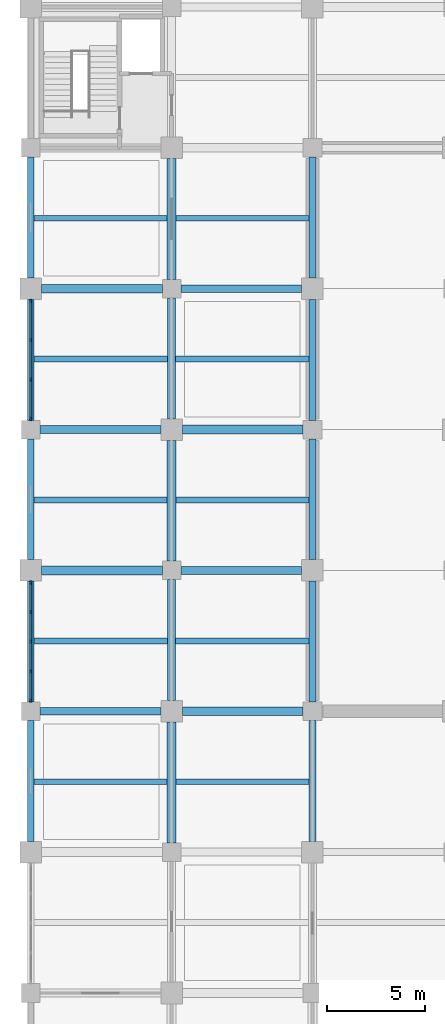
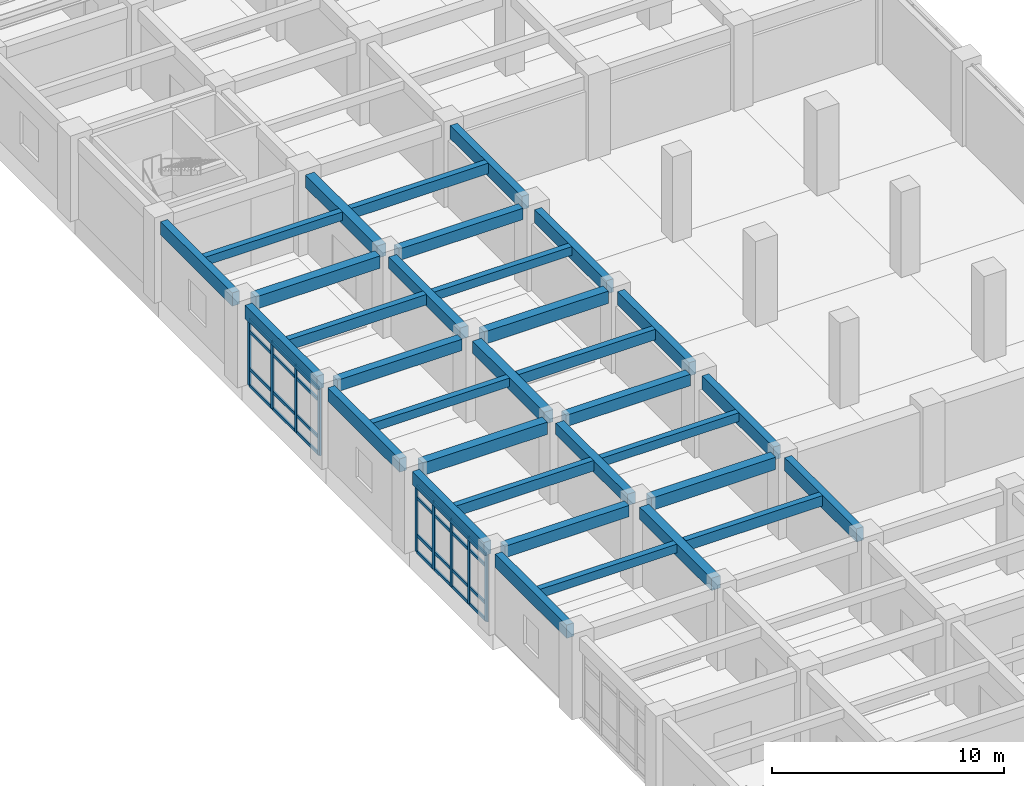
# One storey, part 6 of 81: 37 members, 33 beams, 2 elements without a shape of their own.
"""IFC4 building model written with IfcOpenShell, lengths in metres."""

from ifc_helpers import new_model, si_unit, direction, frame, origin, origin_2d, place, context, subcontext, project, spatial, rectangle, extrude, material, layer, layer_set, material_profile, profile_set, type_object, element, aggregate, save


model = new_model("IFC4")

# Units and contexts
model_context = context("Model", 3, precision=1e-05, world=origin(), true_north=direction((0.0, 1.0)))
body_context = subcontext(model_context, "Body", "Model", "MODEL_VIEW")
ifc_project = project(units=[si_unit("LENGTHUNIT", "METRE"), si_unit("AREAUNIT", "SQUARE_METRE"), si_unit("VOLUMEUNIT", "CUBIC_METRE"), si_unit("PLANEANGLEUNIT", "RADIAN"), si_unit("MASSUNIT", "GRAM", prefix="KILO")], contexts=[model_context])

# Site, building, storey
site_placement = place(None, origin())
site = spatial("IfcSite", under=ifc_project, at=site_placement, CompositionType="ELEMENT")
building_placement = place(site_placement, origin())
building = spatial("IfcBuilding", under=site, at=building_placement, Name="Kavelor Marine Aquarium", CompositionType="ELEMENT")
storey_placement = place(building_placement, frame((0.0, 0.0, 4.679931640625)))
storey = spatial("IfcBuildingStorey", under=building, at=storey_placement, Name="L01", CompositionType="ELEMENT", Elevation=4.679931640625)

# Beams
ifc_material_1 = material(Name="Concrete C40/50", Category="concrete")
ifc_material_profile_1 = material_profile(ifc_material_1, rectangle(XDim=0.449951171875, YDim=0.64990234375, at=origin_2d()), Name="RC-BM 450x650")
ifc_profile_set_1 = profile_set([ifc_material_profile_1], Name="Concrete C40/50")
beam_type_1 = type_object("IfcBeamType", Name="BM-B3", PredefinedType="BEAM", material=ifc_profile_set_1)
for number, where, z_axis, x_axis, name in (
    (1, (3.75, 46.0, 3.875), (1.0, 0.0, 0.0), (0.0, 1.0, 0.0), "bm:x:L01:L02:00_06"),
    (2, (3.75, 60.39990234375, 3.875), (1.0, 0.0, 0.0), (0.0, 1.0, 0.0), "bm:x:L01:L02:00_08"),
    (3, (10.949951171875, 38.800048828125, 3.875), (1.0, 0.0, 0.0), (0.0, 1.0, 0.0), "bm:x:L01:L02:01_05"),
    (4, (10.949951171875, 53.199951171875, 3.875), (1.0, 0.0, 0.0), (0.0, 1.0, 0.0), "bm:x:L01:L02:01_07"),
    (5, (10.39990234375, 32.074951171875, 3.875), (0.0, 1.0, 0.0), (-1.0, 0.0, 0.0), "bm:y:L01:L02:01_04"),
):
    element("IfcBeam", number, at=place(storey_placement, frame(where, z_axis=z_axis, x_axis=x_axis)), inside=storey, type_object=beam_type_1, Name=name, PredefinedType="BEAM", context=body_context, shape_type="SweptSolid", body=[
        extrude(rectangle(XDim=0.449951171875, YDim=0.64990234375, at=origin_2d()), origin(), (0.0, 0.0, 1.0), 6.175048828125),
    ])
beam_1_placement = place(storey_placement, frame((10.39990234375, 46.47509765625, 3.875), z_axis=(0.0, 1.0, 0.0), x_axis=(-1.0, 0.0, 0.0)))
element("IfcBeam", 6, at=beam_1_placement, inside=storey, type_object=beam_type_1, Name="bm:y:L01:L02:01_06", PredefinedType="BEAM", context=body_context, shape_type="SweptSolid", body=[
    extrude(rectangle(XDim=0.449951171875, YDim=0.64990234375, at=origin_2d()), origin(), (0.0, 0.0, 1.0), 6.1748046875),
])
beam_2_placement = place(storey_placement, frame((10.39990234375, 60.875, 3.875), z_axis=(0.0, 1.0, 0.0), x_axis=(-1.0, 0.0, 0.0)))
element("IfcBeam", 7, at=beam_2_placement, inside=storey, type_object=beam_type_1, Name="bm:y:L01:L02:01_08", PredefinedType="BEAM", context=body_context, shape_type="SweptSolid", body=[
    extrude(rectangle(XDim=0.449951171875, YDim=0.64990234375, at=origin_2d()), origin(), (0.0, 0.0, 1.0), 6.175048828125),
])
ifc_material_2 = material(Name="Concrete C40/50", Category="concrete")
ifc_material_profile_2 = material_profile(ifc_material_2, rectangle(XDim=0.39990234375, YDim=0.60009765625, at=origin_2d()), Name="RC-BM 400x600")
ifc_profile_set_2 = profile_set([ifc_material_profile_2], Name="Concrete C40/50")
beam_type_2 = type_object("IfcBeamType", Name="BM-B4", PredefinedType="BEAM", material=ifc_profile_set_2)
for number, where, z_axis, x_axis, name in (
    (8, (3.675048828125, 38.800048828125, 3.900146484375), (1.0, 0.0, 0.0), (0.0, 1.0, 0.0), "bm:x:L01:L02:00_05"),
    (9, (3.675048828125, 53.199951171875, 3.900146484375), (1.0, 0.0, 0.0), (0.0, 1.0, 0.0), "bm:x:L01:L02:00_07"),
    (10, (10.875, 46.0, 3.900146484375), (1.0, 0.0, 0.0), (0.0, 1.0, 0.0), "bm:x:L01:L02:01_06"),
    (11, (10.875, 60.39990234375, 3.900146484375), (1.0, 0.0, 0.0), (0.0, 1.0, 0.0), "bm:x:L01:L02:01_08"),
):
    element("IfcBeam", number, at=place(storey_placement, frame(where, z_axis=z_axis, x_axis=x_axis)), inside=storey, type_object=beam_type_2, Name=name, PredefinedType="BEAM", context=body_context, shape_type="SweptSolid", body=[
        extrude(rectangle(XDim=0.39990234375, YDim=0.60009765625, at=origin_2d()), origin(), (0.0, 0.0, 1.0), 6.175048828125),
    ])
beam_3_placement = place(storey_placement, frame((10.39990234375, 39.35009765625, 3.900146484375), z_axis=(0.0, 1.0, 0.0), x_axis=(-1.0, 0.0, 0.0)))
element("IfcBeam", 12, at=beam_3_placement, inside=storey, type_object=beam_type_2, Name="bm:y:L01:L02:01_05", PredefinedType="BEAM", context=body_context, shape_type="SweptSolid", body=[
    extrude(rectangle(XDim=0.39990234375, YDim=0.60009765625, at=origin_2d()), origin(), (0.0, 0.0, 1.0), 6.1748046875),
])
beam_4_placement = place(storey_placement, frame((10.39990234375, 53.75, 3.900146484375), z_axis=(0.0, 1.0, 0.0), x_axis=(-1.0, 0.0, 0.0)))
element("IfcBeam", 13, at=beam_4_placement, inside=storey, type_object=beam_type_2, Name="bm:y:L01:L02:01_07", PredefinedType="BEAM", context=body_context, shape_type="SweptSolid", body=[
    extrude(rectangle(XDim=0.39990234375, YDim=0.60009765625, at=origin_2d()), origin(), (0.0, 0.0, 1.0), 6.175048828125),
])
ifc_material_3 = material(Name="Concrete C40/50", Category="concrete")
ifc_material_profile_3 = material_profile(ifc_material_3, rectangle(XDim=0.300048828125, YDim=0.449951171875, at=origin_2d()), Name="RC-JS 300x450")
ifc_profile_set_3 = profile_set([ifc_material_profile_3], Name="Concrete C40/50")
beam_type_3 = type_object("IfcBeamType", Name="BM-JS1", PredefinedType="JOIST", material=ifc_profile_set_3)
for number, where, z_axis, x_axis, name in (
    (14, (3.375, 35.199951171875, 3.97509765625), (1.0, 0.0, 0.0), (0.0, 1.0, 0.0), "js:L01:L02:00_04"),
    (15, (3.375, 49.60009765625, 3.97509765625), (1.0, 0.0, 0.0), (0.0, 1.0, 0.0), "js:L01:L02:00_06"),
    (16, (3.375, 64.0, 3.97509765625), (1.0, 0.0, 0.0), (0.0, 1.0, 0.0), "js:L01:L02:00_08"),
):
    element("IfcBeam", number, at=place(storey_placement, frame(where, z_axis=z_axis, x_axis=x_axis)), inside=storey, type_object=beam_type_3, Name=name, PredefinedType="JOIST", context=body_context, shape_type="SweptSolid", body=[
        extrude(rectangle(XDim=0.300048828125, YDim=0.449951171875, at=origin_2d()), origin(), (0.0, 0.0, 1.0), 6.800048828125),
    ])
for number, where, z_axis, x_axis, name in (
    (17, (10.60009765625, 42.39990234375, 3.97509765625), (1.0, 0.0, 0.0), (0.0, 1.0, 0.0), "js:L01:L02:01_05"),
    (18, (10.60009765625, 56.800048828125, 3.97509765625), (1.0, 0.0, 0.0), (0.0, 1.0, 0.0), "js:L01:L02:01_07"),
):
    element("IfcBeam", number, at=place(storey_placement, frame(where, z_axis=z_axis, x_axis=x_axis)), inside=storey, type_object=beam_type_3, Name=name, PredefinedType="JOIST", context=body_context, shape_type="SweptSolid", body=[
        extrude(rectangle(XDim=0.300048828125, YDim=0.449951171875, at=origin_2d()), origin(), (0.0, 0.0, 1.0), 6.824951171875),
    ])
ifc_material_4 = material(Name="Concrete C40/50", Category="concrete")
ifc_material_profile_4 = material_profile(ifc_material_4, rectangle(XDim=0.300048828125, YDim=0.550048828125, at=origin_2d()), Name="RC-JS 300x550")
ifc_profile_set_4 = profile_set([ifc_material_profile_4], Name="Concrete C40/50")
beam_type_4 = type_object("IfcBeamType", Name="BM-JS2", PredefinedType="JOIST", material=ifc_profile_set_4)
for number, where, z_axis, x_axis, name in (
    (19, (3.375, 42.39990234375, 3.945068359375), (1.0, 0.0, 0.0), (0.0, 1.0, 0.0), "js:L01:L02:00_05"),
    (20, (3.375, 56.800048828125, 3.945068359375), (1.0, 0.0, 0.0), (0.0, 1.0, 0.0), "js:L01:L02:00_07"),
):
    element("IfcBeam", number, at=place(storey_placement, frame(where, z_axis=z_axis, x_axis=x_axis)), inside=storey, type_object=beam_type_4, Name=name, PredefinedType="JOIST", context=body_context, shape_type="SweptSolid", body=[
        extrude(rectangle(XDim=0.300048828125, YDim=0.550048828125, at=origin_2d()), origin(), (0.0, 0.0, 1.0), 6.824951171875),
    ])
for number, where, z_axis, x_axis, name in (
    (21, (10.625, 35.199951171875, 3.945068359375), (1.0, 0.0, 0.0), (0.0, 1.0, 0.0), "js:L01:L02:01_04"),
    (22, (10.625, 49.60009765625, 3.945068359375), (1.0, 0.0, 0.0), (0.0, 1.0, 0.0), "js:L01:L02:01_06"),
    (23, (10.625, 64.0, 3.945068359375), (1.0, 0.0, 0.0), (0.0, 1.0, 0.0), "js:L01:L02:01_08"),
):
    element("IfcBeam", number, at=place(storey_placement, frame(where, z_axis=z_axis, x_axis=x_axis)), inside=storey, type_object=beam_type_4, Name=name, PredefinedType="JOIST", context=body_context, shape_type="SweptSolid", body=[
        extrude(rectangle(XDim=0.300048828125, YDim=0.550048828125, at=origin_2d()), origin(), (0.0, 0.0, 1.0), 6.800048828125),
    ])
ifc_material_5 = material(Name="Concrete C40/50", Category="concrete")
ifc_material_profile_5 = material_profile(ifc_material_5, rectangle(XDim=0.35009765625, YDim=0.699951171875, at=origin_2d()), Name="RC-SP 350x700")
ifc_profile_set_5 = profile_set([ifc_material_profile_5], Name="Concrete C40/50")
beam_type_5 = type_object("IfcBeamType", Name="BM-SP1", PredefinedType="SPANDREL", material=ifc_profile_set_5)
for number, where, z_axis, x_axis, name in (
    (24, (3.199951171875, 32.14990234375, 3.85009765625), (0.0, 1.0, 0.0), (-1.0, 0.0, 0.0), "bm:y:L01:L02:00_04"),
    (25, (3.199951171875, 39.27490234375, 3.8701171875), (0.0, 1.0, 0.0), (-1.0, 0.0, 0.0), "bm:y:L01:L02:00_05"),
    (26, (3.199951171875, 46.550048828125, 3.85009765625), (0.0, 1.0, 0.0), (-1.0, 0.0, 0.0), "bm:y:L01:L02:00_06"),
    (27, (3.199951171875, 53.675048828125, 3.8701171875), (0.0, 1.0, 0.0), (-1.0, 0.0, 0.0), "bm:y:L01:L02:00_07"),
    (28, (3.199951171875, 60.949951171875, 3.85009765625), (0.0, 1.0, 0.0), (-1.0, 0.0, 0.0), "bm:y:L01:L02:00_08"),
    (29, (17.60009765625, 32.14990234375, 3.8701171875), (0.0, 1.0, 0.0), (-1.0, 0.0, 0.0), "bm:y:L01:L02:02_04"),
    (30, (17.60009765625, 39.27490234375, 3.85009765625), (0.0, 1.0, 0.0), (-1.0, 0.0, 0.0), "bm:y:L01:L02:02_05"),
    (31, (17.60009765625, 46.550048828125, 3.8701171875), (0.0, 1.0, 0.0), (-1.0, 0.0, 0.0), "bm:y:L01:L02:02_06"),
    (32, (17.60009765625, 53.675048828125, 3.85009765625), (0.0, 1.0, 0.0), (-1.0, 0.0, 0.0), "bm:y:L01:L02:02_07"),
    (33, (17.60009765625, 60.949951171875, 3.8701171875), (0.0, 1.0, 0.0), (-1.0, 0.0, 0.0), "bm:y:L01:L02:02_08"),
):
    element("IfcBeam", number, at=place(storey_placement, frame(where, z_axis=z_axis, x_axis=x_axis)), inside=storey, type_object=beam_type_5, Name=name, PredefinedType="SPANDREL", context=body_context, shape_type="SweptSolid", body=[
        extrude(rectangle(XDim=0.35009765625, YDim=0.699951171875, at=origin_2d()), origin(), (0.0, 0.0, 1.0), 6.175048828125),
    ])

# Curtain wall, members
ifc_material_6 = material(Name="Thermally Broken Aluminium and Low-E Glass", Category="aluminium")
ifc_layer_1 = layer(ifc_material_6, 0.251953125)
ifc_layer_set_1 = layer_set([ifc_layer_1], Name="CW-SYS14")
curtain_wall_type_1 = type_object("IfcCurtainWallType", Name="CW-SYS14", PredefinedType="USERDEFINED", material=ifc_layer_set_1)
curtain_wall_1_placement = place(storey_placement, origin())
curtain_wall_1 = element("IfcCurtainWall", 34, at=curtain_wall_1_placement, inside=storey, type_object=curtain_wall_type_1, Name="cw:y:L01:00_05", ObjectType="Curtain Wall", PredefinedType="USERDEFINED")
ifc_material_7 = material(Name="Anodised Aluminium Alloy 6063-T6", Category="aluminium")
ifc_material_profile_6 = material_profile(ifc_material_7, rectangle(XDim=0.080078125, YDim=0.18505859375, at=origin_2d()), Name="CW-MUL 80x185")
ifc_profile_set_6 = profile_set([ifc_material_profile_6], Name="Anodised Aluminium Alloy 6063-T6")
member_type_1 = type_object("IfcMemberType", Name="CWM-2", PredefinedType="MULLION", material=ifc_profile_set_6)
member_1_placement = place(storey_placement, frame((3.199951171875, 45.37255859375, 0.0), z_axis=(0.0, 0.0, 1.0), x_axis=(1.0, 0.0, 0.0)))
member_1 = element("IfcMember", 35, at=member_1_placement, type_object=member_type_1, Name="CW14 mullion 1", PredefinedType="MULLION", context=body_context, shape_type="SweptSolid", body=[
    extrude(rectangle(XDim=0.080078125, YDim=0.18505859375, at=origin_2d()), origin(), (0.0, 0.0, 1.0), 3.510009765625),
])
member_2_placement = place(storey_placement, frame((3.199951171875, 43.8837890625, 0.0), z_axis=(0.0, 0.0, 1.0), x_axis=(1.0, 0.0, 0.0)))
member_2 = element("IfcMember", 36, at=member_2_placement, type_object=member_type_1, Name="CW14 mullion 2", PredefinedType="MULLION", context=body_context, shape_type="SweptSolid", body=[
    extrude(rectangle(XDim=0.080078125, YDim=0.18505859375, at=origin_2d()), origin(), (0.0, 0.0, 1.0), 3.510009765625),
])
member_3_placement = place(storey_placement, frame((3.199951171875, 42.362548828125, 0.0), z_axis=(0.0, 0.0, 1.0), x_axis=(1.0, 0.0, 0.0)))
member_3 = element("IfcMember", 37, at=member_3_placement, type_object=member_type_1, Name="CW14 mullion 3", PredefinedType="MULLION", context=body_context, shape_type="SweptSolid", body=[
    extrude(rectangle(XDim=0.080078125, YDim=0.18505859375, at=origin_2d()), origin(), (0.0, 0.0, 1.0), 3.510009765625),
])
member_4_placement = place(storey_placement, frame((3.199951171875, 40.84130859375, 0.0), z_axis=(0.0, 0.0, 1.0), x_axis=(1.0, 0.0, 0.0)))
member_4 = element("IfcMember", 38, at=member_4_placement, type_object=member_type_1, Name="CW14 mullion 4", PredefinedType="MULLION", context=body_context, shape_type="SweptSolid", body=[
    extrude(rectangle(XDim=0.080078125, YDim=0.18505859375, at=origin_2d()), origin(), (0.0, 0.0, 1.0), 3.510009765625),
])
member_5_placement = place(storey_placement, frame((3.199951171875, 39.3525390625, 0.0), z_axis=(0.0, 0.0, 1.0), x_axis=(1.0, 0.0, 0.0)))
member_5 = element("IfcMember", 39, at=member_5_placement, type_object=member_type_1, Name="CW14 mullion 5", PredefinedType="MULLION", context=body_context, shape_type="SweptSolid", body=[
    extrude(rectangle(XDim=0.080078125, YDim=0.18505859375, at=origin_2d()), origin(), (0.0, 0.0, 1.0), 3.510009765625),
])

ifc_material_8 = material(Name="Thermally Broken Aluminium and Low-E Glass", Category="aluminium")
ifc_layer_2 = layer(ifc_material_8, 0.260009765625)
ifc_layer_set_2 = layer_set([ifc_layer_2], Name="CW-SYS15")
curtain_wall_type_2 = type_object("IfcCurtainWallType", Name="CW-SYS15", PredefinedType="USERDEFINED", material=ifc_layer_set_2)
curtain_wall_2_placement = place(storey_placement, origin())
curtain_wall_2 = element("IfcCurtainWall", 40, at=curtain_wall_2_placement, inside=storey, type_object=curtain_wall_type_2, Name="cw:y:L01:00_07", ObjectType="Curtain Wall", PredefinedType="USERDEFINED")
ifc_material_9 = material(Name="Anodised Aluminium Alloy 6063-T6", Category="aluminium")
ifc_material_profile_7 = material_profile(ifc_material_9, rectangle(XDim=0.0849609375, YDim=0.18994140625, at=origin_2d()), Name="CW-MUL 85x190")
ifc_profile_set_7 = profile_set([ifc_material_profile_7], Name="Anodised Aluminium Alloy 6063-T6")
member_type_2 = type_object("IfcMemberType", Name="CWM-3", PredefinedType="MULLION", material=ifc_profile_set_7)
member_6_placement = place(storey_placement, frame((3.199951171875, 59.77490234375, 0.0), z_axis=(0.0, 0.0, 1.0), x_axis=(1.0, 0.0, 0.0)))
member_6 = element("IfcMember", 41, at=member_6_placement, type_object=member_type_2, Name="CW15 mullion 1", PredefinedType="MULLION", context=body_context, shape_type="SweptSolid", body=[
    extrude(rectangle(XDim=0.0849609375, YDim=0.18994140625, at=origin_2d()), origin(), (0.0, 0.0, 1.0), 3.510009765625),
])
member_7_placement = place(storey_placement, frame((3.199951171875, 57.776611328125, 0.0), z_axis=(0.0, 0.0, 1.0), x_axis=(1.0, 0.0, 0.0)))
member_7 = element("IfcMember", 42, at=member_7_placement, type_object=member_type_2, Name="CW15 mullion 2", PredefinedType="MULLION", context=body_context, shape_type="SweptSolid", body=[
    extrude(rectangle(XDim=0.0849609375, YDim=0.18994140625, at=origin_2d()), origin(), (0.0, 0.0, 1.0), 3.510009765625),
])
member_8_placement = place(storey_placement, frame((3.199951171875, 55.748291015625, 0.0), z_axis=(0.0, 0.0, 1.0), x_axis=(1.0, 0.0, 0.0)))
member_8 = element("IfcMember", 43, at=member_8_placement, type_object=member_type_2, Name="CW15 mullion 3", PredefinedType="MULLION", context=body_context, shape_type="SweptSolid", body=[
    extrude(rectangle(XDim=0.0849609375, YDim=0.18994140625, at=origin_2d()), origin(), (0.0, 0.0, 1.0), 3.510009765625),
])
member_9_placement = place(storey_placement, frame((3.199951171875, 53.75, 0.0), z_axis=(0.0, 0.0, 1.0), x_axis=(1.0, 0.0, 0.0)))
member_9 = element("IfcMember", 44, at=member_9_placement, type_object=member_type_2, Name="CW15 mullion 4", PredefinedType="MULLION", context=body_context, shape_type="SweptSolid", body=[
    extrude(rectangle(XDim=0.0849609375, YDim=0.18994140625, at=origin_2d()), origin(), (0.0, 0.0, 1.0), 3.510009765625),
])

# Member
ifc_material_10 = material(Name="Anodised Aluminium Alloy 6063-T6", Category="aluminium")
ifc_material_profile_8 = material_profile(ifc_material_10, rectangle(XDim=0.080078125, YDim=0.155029296875, at=origin_2d()), Name="CW-TRN 80x155")
ifc_profile_set_8 = profile_set([ifc_material_profile_8], Name="Anodised Aluminium Alloy 6063-T6")
member_type_3 = type_object("IfcMemberType", Name="CWT-2", PredefinedType="USERDEFINED", material=ifc_profile_set_8)
member_10_placement = place(storey_placement, frame((3.199951171875, 45.340087890625, 0.032470703125), z_axis=(0.0, -1.0, 0.0), x_axis=(1.0, 0.0, 0.0)))
member_10 = element("IfcMember", 45, at=member_10_placement, type_object=member_type_3, Name="CW14 transom 1.1", ObjectType="TRANSOM", PredefinedType="USERDEFINED", context=body_context, shape_type="SweptSolid", body=[
    extrude(rectangle(XDim=0.080078125, YDim=0.155029296875, at=origin_2d()), origin(), (0.0, 0.0, 1.0), 1.423828125),
])

member_11_placement = place(storey_placement, frame((3.199951171875, 45.340087890625, 0.900146484375), z_axis=(0.0, -1.0, 0.0), x_axis=(1.0, 0.0, 0.0)))
member_11 = element("IfcMember", 46, at=member_11_placement, type_object=member_type_3, Name="CW14 transom 1.2", ObjectType="TRANSOM", PredefinedType="USERDEFINED", context=body_context, shape_type="SweptSolid", body=[
    extrude(rectangle(XDim=0.080078125, YDim=0.155029296875, at=origin_2d()), origin(), (0.0, 0.0, 1.0), 1.423828125),
])

member_12_placement = place(storey_placement, frame((3.199951171875, 45.340087890625, 2.860107421875), z_axis=(0.0, -1.0, 0.0), x_axis=(1.0, 0.0, 0.0)))
member_12 = element("IfcMember", 47, at=member_12_placement, type_object=member_type_3, Name="CW14 transom 1.3", ObjectType="TRANSOM", PredefinedType="USERDEFINED", context=body_context, shape_type="SweptSolid", body=[
    extrude(rectangle(XDim=0.080078125, YDim=0.155029296875, at=origin_2d()), origin(), (0.0, 0.0, 1.0), 1.423828125),
])

member_13_placement = place(storey_placement, frame((3.199951171875, 45.340087890625, 3.4775390625), z_axis=(0.0, -1.0, 0.0), x_axis=(1.0, 0.0, 0.0)))
member_13 = element("IfcMember", 48, at=member_13_placement, type_object=member_type_3, Name="CW14 transom 1.4", ObjectType="TRANSOM", PredefinedType="USERDEFINED", context=body_context, shape_type="SweptSolid", body=[
    extrude(rectangle(XDim=0.080078125, YDim=0.155029296875, at=origin_2d()), origin(), (0.0, 0.0, 1.0), 1.423828125),
])

member_14_placement = place(storey_placement, frame((3.199951171875, 43.851318359375, 0.032470703125), z_axis=(0.0, -1.0, 0.0), x_axis=(1.0, 0.0, 0.0)))
member_14 = element("IfcMember", 49, at=member_14_placement, type_object=member_type_3, Name="CW14 transom 2.1", ObjectType="TRANSOM", PredefinedType="USERDEFINED", context=body_context, shape_type="SweptSolid", body=[
    extrude(rectangle(XDim=0.080078125, YDim=0.155029296875, at=origin_2d()), origin(), (0.0, 0.0, 1.0), 1.456298828125),
])

member_15_placement = place(storey_placement, frame((3.199951171875, 43.851318359375, 0.900146484375), z_axis=(0.0, -1.0, 0.0), x_axis=(1.0, 0.0, 0.0)))
member_15 = element("IfcMember", 50, at=member_15_placement, type_object=member_type_3, Name="CW14 transom 2.2", ObjectType="TRANSOM", PredefinedType="USERDEFINED", context=body_context, shape_type="SweptSolid", body=[
    extrude(rectangle(XDim=0.080078125, YDim=0.155029296875, at=origin_2d()), origin(), (0.0, 0.0, 1.0), 1.456298828125),
])

member_16_placement = place(storey_placement, frame((3.199951171875, 43.851318359375, 2.860107421875), z_axis=(0.0, -1.0, 0.0), x_axis=(1.0, 0.0, 0.0)))
member_16 = element("IfcMember", 51, at=member_16_placement, type_object=member_type_3, Name="CW14 transom 2.3", ObjectType="TRANSOM", PredefinedType="USERDEFINED", context=body_context, shape_type="SweptSolid", body=[
    extrude(rectangle(XDim=0.080078125, YDim=0.155029296875, at=origin_2d()), origin(), (0.0, 0.0, 1.0), 1.456298828125),
])

member_17_placement = place(storey_placement, frame((3.199951171875, 43.851318359375, 3.4775390625), z_axis=(0.0, -1.0, 0.0), x_axis=(1.0, 0.0, 0.0)))
member_17 = element("IfcMember", 52, at=member_17_placement, type_object=member_type_3, Name="CW14 transom 2.4", ObjectType="TRANSOM", PredefinedType="USERDEFINED", context=body_context, shape_type="SweptSolid", body=[
    extrude(rectangle(XDim=0.080078125, YDim=0.155029296875, at=origin_2d()), origin(), (0.0, 0.0, 1.0), 1.456298828125),
])

member_18_placement = place(storey_placement, frame((3.199951171875, 42.330078125, 0.032470703125), z_axis=(0.0, -1.0, 0.0), x_axis=(1.0, 0.0, 0.0)))
member_18 = element("IfcMember", 53, at=member_18_placement, type_object=member_type_3, Name="CW14 transom 3.1", ObjectType="TRANSOM", PredefinedType="USERDEFINED", context=body_context, shape_type="SweptSolid", body=[
    extrude(rectangle(XDim=0.080078125, YDim=0.155029296875, at=origin_2d()), origin(), (0.0, 0.0, 1.0), 1.456298828125),
])

member_19_placement = place(storey_placement, frame((3.199951171875, 42.330078125, 0.900146484375), z_axis=(0.0, -1.0, 0.0), x_axis=(1.0, 0.0, 0.0)))
member_19 = element("IfcMember", 54, at=member_19_placement, type_object=member_type_3, Name="CW14 transom 3.2", ObjectType="TRANSOM", PredefinedType="USERDEFINED", context=body_context, shape_type="SweptSolid", body=[
    extrude(rectangle(XDim=0.080078125, YDim=0.155029296875, at=origin_2d()), origin(), (0.0, 0.0, 1.0), 1.456298828125),
])

member_20_placement = place(storey_placement, frame((3.199951171875, 42.330078125, 2.860107421875), z_axis=(0.0, -1.0, 0.0), x_axis=(1.0, 0.0, 0.0)))
member_20 = element("IfcMember", 55, at=member_20_placement, type_object=member_type_3, Name="CW14 transom 3.3", ObjectType="TRANSOM", PredefinedType="USERDEFINED", context=body_context, shape_type="SweptSolid", body=[
    extrude(rectangle(XDim=0.080078125, YDim=0.155029296875, at=origin_2d()), origin(), (0.0, 0.0, 1.0), 1.456298828125),
])

member_21_placement = place(storey_placement, frame((3.199951171875, 42.330078125, 3.4775390625), z_axis=(0.0, -1.0, 0.0), x_axis=(1.0, 0.0, 0.0)))
member_21 = element("IfcMember", 56, at=member_21_placement, type_object=member_type_3, Name="CW14 transom 3.4", ObjectType="TRANSOM", PredefinedType="USERDEFINED", context=body_context, shape_type="SweptSolid", body=[
    extrude(rectangle(XDim=0.080078125, YDim=0.155029296875, at=origin_2d()), origin(), (0.0, 0.0, 1.0), 1.456298828125),
])

member_22_placement = place(storey_placement, frame((3.199951171875, 40.808837890625, 0.032470703125), z_axis=(0.0, -1.0, 0.0), x_axis=(1.0, 0.0, 0.0)))
member_22 = element("IfcMember", 57, at=member_22_placement, type_object=member_type_3, Name="CW14 transom 4.1", ObjectType="TRANSOM", PredefinedType="USERDEFINED", context=body_context, shape_type="SweptSolid", body=[
    extrude(rectangle(XDim=0.080078125, YDim=0.155029296875, at=origin_2d()), origin(), (0.0, 0.0, 1.0), 1.423828125),
])

member_23_placement = place(storey_placement, frame((3.199951171875, 40.808837890625, 0.900146484375), z_axis=(0.0, -1.0, 0.0), x_axis=(1.0, 0.0, 0.0)))
member_23 = element("IfcMember", 58, at=member_23_placement, type_object=member_type_3, Name="CW14 transom 4.2", ObjectType="TRANSOM", PredefinedType="USERDEFINED", context=body_context, shape_type="SweptSolid", body=[
    extrude(rectangle(XDim=0.080078125, YDim=0.155029296875, at=origin_2d()), origin(), (0.0, 0.0, 1.0), 1.423828125),
])

member_24_placement = place(storey_placement, frame((3.199951171875, 40.808837890625, 2.860107421875), z_axis=(0.0, -1.0, 0.0), x_axis=(1.0, 0.0, 0.0)))
member_24 = element("IfcMember", 59, at=member_24_placement, type_object=member_type_3, Name="CW14 transom 4.3", ObjectType="TRANSOM", PredefinedType="USERDEFINED", context=body_context, shape_type="SweptSolid", body=[
    extrude(rectangle(XDim=0.080078125, YDim=0.155029296875, at=origin_2d()), origin(), (0.0, 0.0, 1.0), 1.423828125),
])

member_25_placement = place(storey_placement, frame((3.199951171875, 40.808837890625, 3.4775390625), z_axis=(0.0, -1.0, 0.0), x_axis=(1.0, 0.0, 0.0)))
member_25 = element("IfcMember", 60, at=member_25_placement, type_object=member_type_3, Name="CW14 transom 4.4", ObjectType="TRANSOM", PredefinedType="USERDEFINED", context=body_context, shape_type="SweptSolid", body=[
    extrude(rectangle(XDim=0.080078125, YDim=0.155029296875, at=origin_2d()), origin(), (0.0, 0.0, 1.0), 1.423828125),
])

aggregate(curtain_wall_1, [member_1, member_2, member_3, member_4, member_5, member_10, member_11, member_12, member_13, member_14, member_15, member_16, member_17, member_18, member_19, member_20, member_21, member_22, member_23, member_24, member_25])

member_26_placement = place(storey_placement, frame((3.199951171875, 59.7451171875, 0.032470703125), z_axis=(0.0, -1.0, 0.0), x_axis=(1.0, 0.0, 0.0)))
member_26 = element("IfcMember", 61, at=member_26_placement, type_object=member_type_3, Name="CW15 transom 1.1", ObjectType="TRANSOM", PredefinedType="USERDEFINED", context=body_context, shape_type="SweptSolid", body=[
    extrude(rectangle(XDim=0.080078125, YDim=0.155029296875, at=origin_2d()), origin(), (0.0, 0.0, 1.0), 1.9384765625),
])

member_27_placement = place(storey_placement, frame((3.199951171875, 59.7451171875, 0.900146484375), z_axis=(0.0, -1.0, 0.0), x_axis=(1.0, 0.0, 0.0)))
member_27 = element("IfcMember", 62, at=member_27_placement, type_object=member_type_3, Name="CW15 transom 1.2", ObjectType="TRANSOM", PredefinedType="USERDEFINED", context=body_context, shape_type="SweptSolid", body=[
    extrude(rectangle(XDim=0.080078125, YDim=0.155029296875, at=origin_2d()), origin(), (0.0, 0.0, 1.0), 1.9384765625),
])

member_28_placement = place(storey_placement, frame((3.199951171875, 59.7451171875, 2.860107421875), z_axis=(0.0, -1.0, 0.0), x_axis=(1.0, 0.0, 0.0)))
member_28 = element("IfcMember", 63, at=member_28_placement, type_object=member_type_3, Name="CW15 transom 1.3", ObjectType="TRANSOM", PredefinedType="USERDEFINED", context=body_context, shape_type="SweptSolid", body=[
    extrude(rectangle(XDim=0.080078125, YDim=0.155029296875, at=origin_2d()), origin(), (0.0, 0.0, 1.0), 1.9384765625),
])

member_29_placement = place(storey_placement, frame((3.199951171875, 59.7451171875, 3.4775390625), z_axis=(0.0, -1.0, 0.0), x_axis=(1.0, 0.0, 0.0)))
member_29 = element("IfcMember", 64, at=member_29_placement, type_object=member_type_3, Name="CW15 transom 1.4", ObjectType="TRANSOM", PredefinedType="USERDEFINED", context=body_context, shape_type="SweptSolid", body=[
    extrude(rectangle(XDim=0.080078125, YDim=0.155029296875, at=origin_2d()), origin(), (0.0, 0.0, 1.0), 1.9384765625),
])

member_30_placement = place(storey_placement, frame((3.199951171875, 57.74658203125, 0.032470703125), z_axis=(0.0, -1.0, 0.0), x_axis=(1.0, 0.0, 0.0)))
member_30 = element("IfcMember", 65, at=member_30_placement, type_object=member_type_3, Name="CW15 transom 2.1", ObjectType="TRANSOM", PredefinedType="USERDEFINED", context=body_context, shape_type="SweptSolid", body=[
    extrude(rectangle(XDim=0.080078125, YDim=0.155029296875, at=origin_2d()), origin(), (0.0, 0.0, 1.0), 1.96826171875),
])

member_31_placement = place(storey_placement, frame((3.199951171875, 57.74658203125, 0.900146484375), z_axis=(0.0, -1.0, 0.0), x_axis=(1.0, 0.0, 0.0)))
member_31 = element("IfcMember", 66, at=member_31_placement, type_object=member_type_3, Name="CW15 transom 2.2", ObjectType="TRANSOM", PredefinedType="USERDEFINED", context=body_context, shape_type="SweptSolid", body=[
    extrude(rectangle(XDim=0.080078125, YDim=0.155029296875, at=origin_2d()), origin(), (0.0, 0.0, 1.0), 1.96826171875),
])

member_32_placement = place(storey_placement, frame((3.199951171875, 57.74658203125, 2.860107421875), z_axis=(0.0, -1.0, 0.0), x_axis=(1.0, 0.0, 0.0)))
member_32 = element("IfcMember", 67, at=member_32_placement, type_object=member_type_3, Name="CW15 transom 2.3", ObjectType="TRANSOM", PredefinedType="USERDEFINED", context=body_context, shape_type="SweptSolid", body=[
    extrude(rectangle(XDim=0.080078125, YDim=0.155029296875, at=origin_2d()), origin(), (0.0, 0.0, 1.0), 1.96826171875),
])

member_33_placement = place(storey_placement, frame((3.199951171875, 57.74658203125, 3.4775390625), z_axis=(0.0, -1.0, 0.0), x_axis=(1.0, 0.0, 0.0)))
member_33 = element("IfcMember", 68, at=member_33_placement, type_object=member_type_3, Name="CW15 transom 2.4", ObjectType="TRANSOM", PredefinedType="USERDEFINED", context=body_context, shape_type="SweptSolid", body=[
    extrude(rectangle(XDim=0.080078125, YDim=0.155029296875, at=origin_2d()), origin(), (0.0, 0.0, 1.0), 1.96826171875),
])

member_34_placement = place(storey_placement, frame((3.199951171875, 55.71826171875, 0.032470703125), z_axis=(0.0, -1.0, 0.0), x_axis=(1.0, 0.0, 0.0)))
member_34 = element("IfcMember", 69, at=member_34_placement, type_object=member_type_3, Name="CW15 transom 3.1", ObjectType="TRANSOM", PredefinedType="USERDEFINED", context=body_context, shape_type="SweptSolid", body=[
    extrude(rectangle(XDim=0.080078125, YDim=0.155029296875, at=origin_2d()), origin(), (0.0, 0.0, 1.0), 1.938232421875),
])

member_35_placement = place(storey_placement, frame((3.199951171875, 55.71826171875, 0.900146484375), z_axis=(0.0, -1.0, 0.0), x_axis=(1.0, 0.0, 0.0)))
member_35 = element("IfcMember", 70, at=member_35_placement, type_object=member_type_3, Name="CW15 transom 3.2", ObjectType="TRANSOM", PredefinedType="USERDEFINED", context=body_context, shape_type="SweptSolid", body=[
    extrude(rectangle(XDim=0.080078125, YDim=0.155029296875, at=origin_2d()), origin(), (0.0, 0.0, 1.0), 1.938232421875),
])

member_36_placement = place(storey_placement, frame((3.199951171875, 55.71826171875, 2.860107421875), z_axis=(0.0, -1.0, 0.0), x_axis=(1.0, 0.0, 0.0)))
member_36 = element("IfcMember", 71, at=member_36_placement, type_object=member_type_3, Name="CW15 transom 3.3", ObjectType="TRANSOM", PredefinedType="USERDEFINED", context=body_context, shape_type="SweptSolid", body=[
    extrude(rectangle(XDim=0.080078125, YDim=0.155029296875, at=origin_2d()), origin(), (0.0, 0.0, 1.0), 1.938232421875),
])

member_37_placement = place(storey_placement, frame((3.199951171875, 55.71826171875, 3.4775390625), z_axis=(0.0, -1.0, 0.0), x_axis=(1.0, 0.0, 0.0)))
member_37 = element("IfcMember", 72, at=member_37_placement, type_object=member_type_3, Name="CW15 transom 3.4", ObjectType="TRANSOM", PredefinedType="USERDEFINED", context=body_context, shape_type="SweptSolid", body=[
    extrude(rectangle(XDim=0.080078125, YDim=0.155029296875, at=origin_2d()), origin(), (0.0, 0.0, 1.0), 1.938232421875),
])

aggregate(curtain_wall_2, [member_6, member_7, member_8, member_9, member_26, member_27, member_28, member_29, member_30, member_31, member_32, member_33, member_34, member_35, member_36, member_37])

save(model, "model.ifc")
